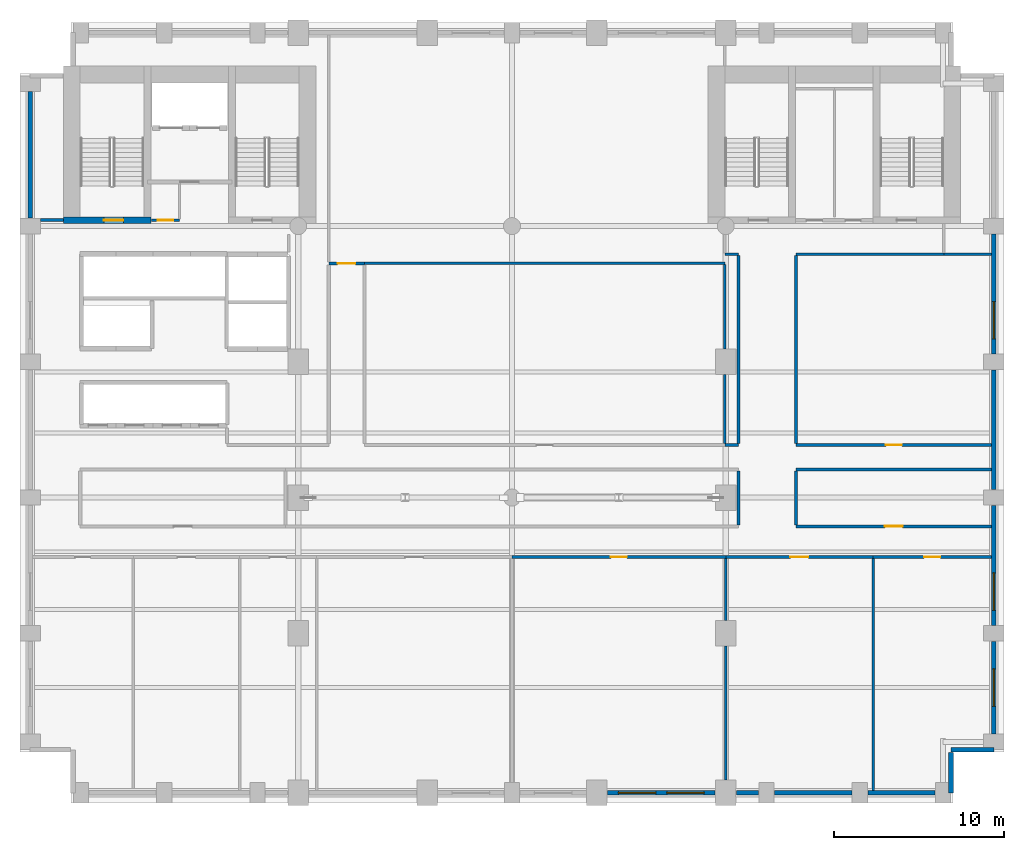
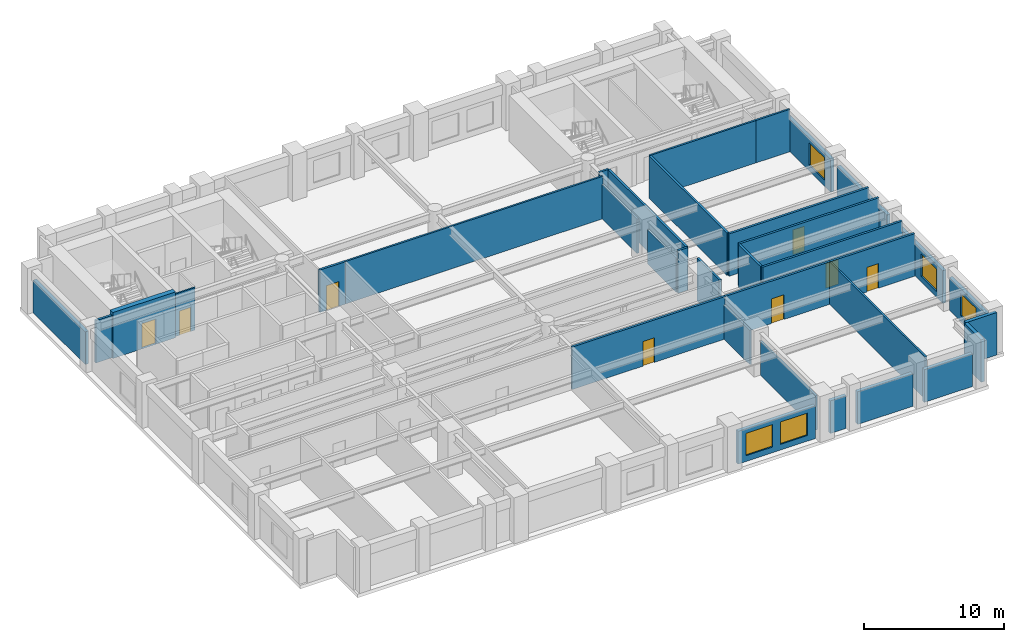
# One storey, part 6 of 10: 35 walls, 8 doors, 5 windows, 13 openings.
"""IFC4 building model written with IfcOpenShell, lengths in metres."""

from ifc_helpers import new_model, si_unit, direction, frame, frame_2d, origin, place, context, subcontext, project, spatial, rectangle, extrude, material, layer, layer_set, type_object, element, fill, save


model = new_model("IFC4")

# Units and contexts
model_context = context("Model", 3, precision=1e-05, world=origin(), true_north=direction((0.0, 1.0)))
body_context = subcontext(model_context, "Body", "Model", "MODEL_VIEW")
ifc_project = project(units=[si_unit("LENGTHUNIT", "METRE"), si_unit("AREAUNIT", "SQUARE_METRE"), si_unit("VOLUMEUNIT", "CUBIC_METRE"), si_unit("PLANEANGLEUNIT", "RADIAN"), si_unit("MASSUNIT", "GRAM", prefix="KILO")], contexts=[model_context])

# Site, building, storey
site_placement = place(None, origin())
site = spatial("IfcSite", under=ifc_project, at=site_placement, CompositionType="ELEMENT")
building_placement = place(site_placement, origin())
building = spatial("IfcBuilding", under=site, at=building_placement, Name="Sulina Concourse Tower", CompositionType="ELEMENT")
storey_placement = place(building_placement, frame((0.0, 0.0, 50.60009765625)))
storey = spatial("IfcBuildingStorey", under=building, at=storey_placement, Name="L12", CompositionType="ELEMENT", Elevation=50.60009765625)

# Walls
ifc_material_1 = material(Name="Gypsum board on steel stud", Category="steel")
ifc_layer_1 = layer(ifc_material_1, 0.14990234375)
ifc_layer_set_1 = layer_set([ifc_layer_1], Name="Gypsum board on steel stud")
wall_type_1 = type_object("IfcWallType", Name="Inter-Tenancy Acoustic Partition 150mm", PredefinedType="PARTITIONING", material=ifc_layer_set_1)
wall_1_placement = place(storey_placement, frame((20.300048828125, 31.800048828125, 0.0), z_axis=(0.0, 0.0, 1.0), x_axis=(1.0, 0.0, 0.0)))
element("IfcWall", 1, at=wall_1_placement, inside=storey, type_object=wall_type_1, Name="L12 interior partition 019", PredefinedType="PARTITIONING", context=body_context, shape_type="SweptSolid", body=[
    extrude(rectangle(XDim=21.25, YDim=0.14990234375, at=frame_2d((10.625, 0.0))), origin(), (0.0, 0.0, 1.0), 3.699951171875),
])
wall_2_placement = place(storey_placement, frame((41.550048828125, 32.35009765625, 0.0), z_axis=(0.0, 0.0, 1.0), x_axis=(1.0, 0.0, 0.0)))
element("IfcWall", 2, at=wall_2_placement, inside=storey, type_object=wall_type_1, Name="L12 interior partition 020", PredefinedType="PARTITIONING", context=body_context, shape_type="SweptSolid", body=[
    extrude(rectangle(XDim=0.800048828125, YDim=0.14990234375, at=frame_2d((0.39990234375, 0.0))), origin(), (0.0, 0.0, 1.0), 3.699951171875),
])
wall_3_placement = place(storey_placement, frame((45.75, 32.35009765625, 0.0), z_axis=(0.0, 0.0, 1.0), x_axis=(1.0, 0.0, 0.0)))
element("IfcWall", 3, at=wall_3_placement, inside=storey, type_object=wall_type_1, Name="L12 interior partition 021", PredefinedType="PARTITIONING", context=body_context, shape_type="SweptSolid", body=[
    extrude(rectangle(XDim=8.699951171875, YDim=0.14990234375, at=frame_2d((4.35009765625, 0.0))), origin(), (0.0, 0.0, 1.0), 3.699951171875),
])
wall_4_placement = place(storey_placement, frame((54.449951171875, 32.35009765625, 0.0), z_axis=(0.0, 0.0, 1.0), x_axis=(1.0, 0.0, 0.0)))
element("IfcWall", 4, at=wall_4_placement, inside=storey, type_object=wall_type_1, Name="L12 interior partition 022", PredefinedType="PARTITIONING", context=body_context, shape_type="SweptSolid", body=[
    extrude(rectangle(XDim=2.81005859375, YDim=0.14990234375, at=frame_2d((1.405029296875, 0.0))), origin(), (0.0, 0.0, 1.0), 3.699951171875),
])
wall_5_placement = place(storey_placement, frame((41.550048828125, 21.18994140625, 0.0), z_axis=(0.0, 0.0, 1.0), x_axis=(0.0, 1.0, 0.0)))
element("IfcWall", 5, at=wall_5_placement, inside=storey, type_object=wall_type_1, Name="L12 interior partition 039", PredefinedType="PARTITIONING", context=body_context, shape_type="SweptSolid", body=[
    extrude(rectangle(XDim=4.06005859375, YDim=0.14990234375, at=frame_2d((2.030029296875, 0.0))), origin(), (0.0, 0.0, 1.0), 2.994873046875),
])
wall_6_placement = place(storey_placement, frame((41.550048828125, 26.75, 0.0), z_axis=(0.0, 0.0, 1.0), x_axis=(0.0, 1.0, 0.0)))
element("IfcWall", 6, at=wall_6_placement, inside=storey, type_object=wall_type_1, Name="L12 interior partition 040", PredefinedType="PARTITIONING", context=body_context, shape_type="SweptSolid", body=[
    extrude(rectangle(XDim=4.97509765625, YDim=0.14990234375, at=frame_2d((2.487548828125, 0.0))), origin(), (0.0, 0.0, 1.0), 2.994873046875),
])
wall_7_placement = place(storey_placement, frame((41.60009765625, 1.35009765625, 0.0), z_axis=(0.0, 0.0, 1.0), x_axis=(0.0, 1.0, 0.0)))
element("IfcWall", 7, at=wall_7_placement, inside=storey, type_object=wall_type_1, Name="L12 interior partition 043", PredefinedType="PARTITIONING", context=body_context, shape_type="SweptSolid", body=[
    extrude(rectangle(XDim=7.89990234375, YDim=0.14990234375, at=frame_2d((3.949951171875, 0.0))), origin(), (0.0, 0.0, 1.0), 2.994873046875),
])
wall_8_placement = place(storey_placement, frame((41.60009765625, 10.75, 0.0), z_axis=(0.0, 0.0, 1.0), x_axis=(0.0, 1.0, 0.0)))
element("IfcWall", 8, at=wall_8_placement, inside=storey, type_object=wall_type_1, Name="L12 interior partition 044", PredefinedType="PARTITIONING", context=body_context, shape_type="SweptSolid", body=[
    extrude(rectangle(XDim=3.659912109375, YDim=0.14990234375, at=frame_2d((1.830078125, 0.0))), origin(), (0.0, 0.0, 1.0), 2.994873046875),
])
wall_9_placement = place(storey_placement, frame((50.280029296875, 0.739990234375, 0.0), z_axis=(0.0, 0.0, 1.0), x_axis=(0.0, 1.0, 0.0)))
element("IfcWall", 9, at=wall_9_placement, inside=storey, type_object=wall_type_1, Name="L12 interior partition 050", PredefinedType="PARTITIONING", context=body_context, shape_type="SweptSolid", body=[
    extrude(rectangle(XDim=13.669921875, YDim=0.14990234375, at=frame_2d((6.8349609375, 0.0))), origin(), (0.0, 0.0, 1.0), 3.699951171875),
])

# Wall, opening, door
ifc_material_2 = material(Name="Gypsum board on steel stud", Category="steel")
ifc_layer_2 = layer(ifc_material_2, 0.179931640625)
ifc_layer_set_2 = layer_set([ifc_layer_2], Name="Gypsum board on steel stud")
wall_type_2 = type_object("IfcWallType", Name="Protected Corridor & Riser Partition 180mm", PredefinedType="PARTITIONING", material=ifc_layer_set_2)
wall_10_placement = place(storey_placement, frame((29.0, 14.5, 0.0), z_axis=(0.0, 0.0, 1.0), x_axis=(1.0, 0.0, 0.0)))
wall_10 = element("IfcWall", 10, at=wall_10_placement, inside=storey, type_object=wall_type_2, Name="L12 interior partition 005", PredefinedType="PARTITIONING", context=body_context, shape_type="SweptSolid", body=[
    extrude(rectangle(XDim=12.60009765625, YDim=0.179931640625, at=frame_2d((6.300048828125, 0.0))), origin(), (0.0, 0.0, 1.0), 3.699951171875),
])
opening_1_placement = place(wall_10_placement, frame((5.824951171875, 0.0, 0.0)))
opening_1 = element("IfcOpeningElement", 11, at=opening_1_placement, cuts=wall_10, Name="Opening DR-19", PredefinedType="OPENING", context=body_context, shape_type="SweptSolid", body=[
    extrude(rectangle(XDim=0.949951171875, YDim=2.14990234375, at=frame_2d((0.47509765625, 1.074951171875))), frame((0.0, 0.099853515625, 0.0), z_axis=(0.0, -1.0, 0.0), x_axis=(1.0, 0.0, 0.0)), (0.0, 0.0, 1.0), 0.199951171875),
])
ifc_material_3 = material(Name="Oak-veneered acoustic timber leaf", Category="wood")
ifc_layer_3 = layer(ifc_material_3, 0.050048828125)
ifc_layer_set_3 = layer_set([ifc_layer_3], Name="Oak-veneered acoustic timber leaf")
door_type_1 = type_object("IfcDoorType", Name="Cellular Office & Meeting Door 950x2150", OperationType="NOTDEFINED", PredefinedType="DOOR", material=ifc_layer_set_3)
door_1_placement = place(opening_1_placement, origin())
door_1 = element("IfcDoor", 12, at=door_1_placement, inside=storey, type_object=door_type_1, Name="L12 interior door L12-S04", OperationType="SINGLE_SWING_RIGHT", OverallHeight=2.14990234375, OverallWidth=0.949951171875, PredefinedType="DOOR", context=body_context, shape_type="SweptSolid", body=[
    extrude(rectangle(XDim=0.949951171875, YDim=2.14990234375, at=frame_2d((0.47509765625, 1.074951171875))), frame((0.0, 0.02490234375, 0.0), z_axis=(0.0, -1.0, 0.0), x_axis=(1.0, 0.0, 0.0)), (0.0, 0.0, 1.0), 0.050048828125),
])
fill(opening_1, door_1)

wall_11_placement = place(storey_placement, frame((41.60009765625, 14.5, 0.0), z_axis=(0.0, 0.0, 1.0), x_axis=(1.0, 0.0, 0.0)))
wall_11 = element("IfcWall", 13, at=wall_11_placement, inside=storey, type_object=wall_type_2, Name="L12 interior partition 006", PredefinedType="PARTITIONING", context=body_context, shape_type="SweptSolid", body=[
    extrude(rectangle(XDim=8.679931640625, YDim=0.179931640625, at=frame_2d((4.33984375, 0.0))), origin(), (0.0, 0.0, 1.0), 3.699951171875),
])
opening_2_placement = place(wall_11_placement, frame((3.81494140625, 0.0, 0.0)))
opening_2 = element("IfcOpeningElement", 14, at=opening_2_placement, cuts=wall_11, Name="Opening DR-37", PredefinedType="OPENING", context=body_context, shape_type="SweptSolid", body=[
    extrude(rectangle(XDim=1.050048828125, YDim=2.14990234375, at=frame_2d((0.52490234375, 1.074951171875))), frame((0.0, 0.099853515625, 0.0), z_axis=(0.0, -1.0, 0.0), x_axis=(1.0, 0.0, 0.0)), (0.0, 0.0, 1.0), 0.199951171875),
])
ifc_material_4 = material(Name="Oak-veneered fire door leaf")
ifc_layer_4 = layer(ifc_material_4, 0.050048828125)
ifc_layer_set_4 = layer_set([ifc_layer_4], Name="Oak-veneered fire door leaf")
door_type_2 = type_object("IfcDoorType", Name="Tenant Suite Entrance Fire Door 1050x2150", OperationType="NOTDEFINED", PredefinedType="DOOR", material=ifc_layer_set_4)
door_2_placement = place(opening_2_placement, origin())
door_2 = element("IfcDoor", 15, at=door_2_placement, inside=storey, type_object=door_type_2, Name="L12 interior door L12-S05", OperationType="SINGLE_SWING_LEFT", OverallHeight=2.14990234375, OverallWidth=1.050048828125, PredefinedType="DOOR", context=body_context, shape_type="SweptSolid", body=[
    extrude(rectangle(XDim=1.050048828125, YDim=2.14990234375, at=frame_2d((0.52490234375, 1.074951171875))), frame((0.0, 0.02490234375, 0.0), z_axis=(0.0, -1.0, 0.0), x_axis=(1.0, 0.0, 0.0)), (0.0, 0.0, 1.0), 0.050048828125),
])
fill(opening_2, door_2)

wall_12_placement = place(storey_placement, frame((50.280029296875, 14.5, 0.0), z_axis=(0.0, 0.0, 1.0), x_axis=(1.0, 0.0, 0.0)))
wall_12 = element("IfcWall", 16, at=wall_12_placement, inside=storey, type_object=wall_type_2, Name="L12 interior partition 007", PredefinedType="PARTITIONING", context=body_context, shape_type="SweptSolid", body=[
    extrude(rectangle(XDim=6.97998046875, YDim=0.179931640625, at=frame_2d((3.489990234375, 0.0))), origin(), (0.0, 0.0, 1.0), 3.699951171875),
])
opening_3_placement = place(wall_12_placement, frame((3.014892578125, 0.0, 0.0)))
opening_3 = element("IfcOpeningElement", 17, at=opening_3_placement, cuts=wall_12, Name="Opening DR-19", PredefinedType="OPENING", context=body_context, shape_type="SweptSolid", body=[
    extrude(rectangle(XDim=0.949951171875, YDim=2.14990234375, at=frame_2d((0.47509765625, 1.074951171875))), frame((0.0, 0.099853515625, 0.0), z_axis=(0.0, -1.0, 0.0), x_axis=(1.0, 0.0, 0.0)), (0.0, 0.0, 1.0), 0.199951171875),
])
door_3_placement = place(opening_3_placement, origin())
door_3 = element("IfcDoor", 18, at=door_3_placement, inside=storey, type_object=door_type_1, Name="L12 interior door L12-S06", OperationType="SINGLE_SWING_RIGHT", OverallHeight=2.14990234375, OverallWidth=0.949951171875, PredefinedType="DOOR", context=body_context, shape_type="SweptSolid", body=[
    extrude(rectangle(XDim=0.949951171875, YDim=2.14990234375, at=frame_2d((0.47509765625, 1.074951171875))), frame((0.0, 0.02490234375, 0.0), z_axis=(0.0, -1.0, 0.0), x_axis=(1.0, 0.0, 0.0)), (0.0, 0.0, 1.0), 0.050048828125),
])
fill(opening_3, door_3)

wall_13_placement = place(storey_placement, frame((45.75, 16.300048828125, 0.0), z_axis=(0.0, 0.0, 1.0), x_axis=(1.0, 0.0, 0.0)))
wall_13 = element("IfcWall", 19, at=wall_13_placement, inside=storey, type_object=wall_type_2, Name="L12 interior partition 010", PredefinedType="PARTITIONING", context=body_context, shape_type="SweptSolid", body=[
    extrude(rectangle(XDim=11.510009765625, YDim=0.179931640625, at=frame_2d((5.7548828125, 0.0))), origin(), (0.0, 0.0, 1.0), 3.699951171875),
])
opening_4_placement = place(wall_13_placement, frame((5.22998046875, 0.0, 0.0)))
opening_4 = element("IfcOpeningElement", 20, at=opening_4_placement, cuts=wall_13, Name="Opening DR-37", PredefinedType="OPENING", context=body_context, shape_type="SweptSolid", body=[
    extrude(rectangle(XDim=1.050048828125, YDim=2.14990234375, at=frame_2d((0.52490234375, 1.074951171875))), frame((0.0, 0.099853515625, 0.0), z_axis=(0.0, -1.0, 0.0), x_axis=(1.0, 0.0, 0.0)), (0.0, 0.0, 1.0), 0.199951171875),
])
door_4_placement = place(opening_4_placement, origin())
door_4 = element("IfcDoor", 21, at=door_4_placement, inside=storey, type_object=door_type_2, Name="L12 interior door L12-OFF-LBTE", OperationType="SINGLE_SWING_RIGHT", OverallHeight=2.14990234375, OverallWidth=1.050048828125, PredefinedType="DOOR", context=body_context, shape_type="SweptSolid", body=[
    extrude(rectangle(XDim=1.050048828125, YDim=2.14990234375, at=frame_2d((0.52490234375, 1.074951171875))), frame((0.0, 0.02490234375, 0.0), z_axis=(0.0, -1.0, 0.0), x_axis=(1.0, 0.0, 0.0)), (0.0, 0.0, 1.0), 0.050048828125),
])
fill(opening_4, door_4)

# Walls
wall_14_placement = place(storey_placement, frame((45.75, 19.64990234375, 0.0), z_axis=(0.0, 0.0, 1.0), x_axis=(1.0, 0.0, 0.0)))
element("IfcWall", 22, at=wall_14_placement, inside=storey, type_object=wall_type_2, Name="L12 interior partition 013", PredefinedType="PARTITIONING", context=body_context, shape_type="SweptSolid", body=[
    extrude(rectangle(XDim=11.510009765625, YDim=0.179931640625, at=frame_2d((5.7548828125, 0.0))), origin(), (0.0, 0.0, 1.0), 3.699951171875),
])
wall_15_placement = place(storey_placement, frame((41.550048828125, 21.10009765625, 0.0), z_axis=(0.0, 0.0, 1.0), x_axis=(1.0, 0.0, 0.0)))
element("IfcWall", 23, at=wall_15_placement, inside=storey, type_object=wall_type_2, Name="L12 interior partition 016", PredefinedType="PARTITIONING", context=body_context, shape_type="SweptSolid", body=[
    extrude(rectangle(XDim=0.800048828125, YDim=0.179931640625, at=frame_2d((0.39990234375, 0.0))), origin(), (0.0, 0.0, 1.0), 3.699951171875),
])

# Wall, opening, door
wall_16_placement = place(storey_placement, frame((45.75, 21.10009765625, 0.0), z_axis=(0.0, 0.0, 1.0), x_axis=(1.0, 0.0, 0.0)))
wall_16 = element("IfcWall", 24, at=wall_16_placement, inside=storey, type_object=wall_type_2, Name="L12 interior partition 017", PredefinedType="PARTITIONING", context=body_context, shape_type="SweptSolid", body=[
    extrude(rectangle(XDim=11.510009765625, YDim=0.179931640625, at=frame_2d((5.7548828125, 0.0))), origin(), (0.0, 0.0, 1.0), 3.699951171875),
])
opening_5_placement = place(wall_16_placement, frame((5.280029296875, 0.0, 0.0)))
opening_5 = element("IfcOpeningElement", 25, at=opening_5_placement, cuts=wall_16, Name="Opening DR-19", PredefinedType="OPENING", context=body_context, shape_type="SweptSolid", body=[
    extrude(rectangle(XDim=0.949951171875, YDim=2.14990234375, at=frame_2d((0.47509765625, 1.074951171875))), frame((0.0, 0.099853515625, 0.0), z_axis=(0.0, -1.0, 0.0), x_axis=(1.0, 0.0, 0.0)), (0.0, 0.0, 1.0), 0.199951171875),
])
door_5_placement = place(opening_5_placement, origin())
door_5 = element("IfcDoor", 26, at=door_5_placement, inside=storey, type_object=door_type_1, Name="L12 interior door L12-NE1", OperationType="SINGLE_SWING_RIGHT", OverallHeight=2.14990234375, OverallWidth=0.949951171875, PredefinedType="DOOR", context=body_context, shape_type="SweptSolid", body=[
    extrude(rectangle(XDim=0.949951171875, YDim=2.14990234375, at=frame_2d((0.47509765625, 1.074951171875))), frame((0.0, 0.02490234375, 0.0), z_axis=(0.0, -1.0, 0.0), x_axis=(1.0, 0.0, 0.0)), (0.0, 0.0, 1.0), 0.050048828125),
])
fill(opening_5, door_5)

wall_17_placement = place(storey_placement, frame((18.199951171875, 31.800048828125, 0.0), z_axis=(0.0, 0.0, 1.0), x_axis=(1.0, 0.0, 0.0)))
wall_17 = element("IfcWall", 27, at=wall_17_placement, inside=storey, type_object=wall_type_2, Name="L12 interior partition 018", PredefinedType="PARTITIONING", context=body_context, shape_type="SweptSolid", body=[
    extrude(rectangle(XDim=2.10009765625, YDim=0.179931640625, at=frame_2d((1.050048828125, 0.0))), origin(), (0.0, 0.0, 1.0), 3.699951171875),
])
opening_6_placement = place(wall_17_placement, frame((0.52490234375, 0.0, 0.0)))
opening_6 = element("IfcOpeningElement", 28, at=opening_6_placement, cuts=wall_17, Name="Opening DR-37", PredefinedType="OPENING", context=body_context, shape_type="SweptSolid", body=[
    extrude(rectangle(XDim=1.050048828125, YDim=2.14990234375, at=frame_2d((0.52490234375, 1.074951171875))), frame((0.0, 0.099853515625, 0.0), z_axis=(0.0, -1.0, 0.0), x_axis=(1.0, 0.0, 0.0)), (0.0, 0.0, 1.0), 0.199951171875),
])
door_6_placement = place(opening_6_placement, origin())
door_6 = element("IfcDoor", 29, at=door_6_placement, inside=storey, type_object=door_type_2, Name="L12 interior door L12-NC4", OperationType="SINGLE_SWING_LEFT", OverallHeight=2.14990234375, OverallWidth=1.050048828125, PredefinedType="DOOR", context=body_context, shape_type="SweptSolid", body=[
    extrude(rectangle(XDim=1.050048828125, YDim=2.14990234375, at=frame_2d((0.52490234375, 1.074951171875))), frame((0.0, 0.02490234375, 0.0), z_axis=(0.0, -1.0, 0.0), x_axis=(1.0, 0.0, 0.0)), (0.0, 0.0, 1.0), 0.050048828125),
])
fill(opening_6, door_6)

# Walls
wall_18_placement = place(storey_placement, frame((1.199951171875, 34.35009765625, 0.0), z_axis=(0.0, 0.0, 1.0), x_axis=(1.0, 0.0, 0.0)))
element("IfcWall", 30, at=wall_18_placement, inside=storey, type_object=wall_type_2, Name="L12 interior partition 023", PredefinedType="PARTITIONING", context=body_context, shape_type="SweptSolid", body=[
    extrude(rectangle(XDim=1.35009765625, YDim=0.179931640625, at=frame_2d((0.675048828125, 0.0))), origin(), (0.0, 0.0, 1.0), 3.699951171875),
])
wall_19_placement = place(storey_placement, frame((42.35009765625, 16.389892578125, 0.0), z_axis=(0.0, 0.0, 1.0), x_axis=(0.0, 1.0, 0.0)))
element("IfcWall", 31, at=wall_19_placement, inside=storey, type_object=wall_type_2, Name="L12 interior partition 045", PredefinedType="PARTITIONING", context=body_context, shape_type="SweptSolid", body=[
    extrude(rectangle(XDim=3.170166015625, YDim=0.179931640625, at=frame_2d((1.5849609375, 0.0))), origin(), (0.0, 0.0, 1.0), 3.699951171875),
])
wall_20_placement = place(storey_placement, frame((42.35009765625, 21.18994140625, 0.0), z_axis=(0.0, 0.0, 1.0), x_axis=(0.0, 1.0, 0.0)))
element("IfcWall", 32, at=wall_20_placement, inside=storey, type_object=wall_type_2, Name="L12 interior partition 046", PredefinedType="PARTITIONING", context=body_context, shape_type="SweptSolid", body=[
    extrude(rectangle(XDim=11.0849609375, YDim=0.179931640625, at=frame_2d((5.54248046875, 0.0))), origin(), (0.0, 0.0, 1.0), 3.699951171875),
])
wall_21_placement = place(storey_placement, frame((45.75, 16.389892578125, 0.0), z_axis=(0.0, 0.0, 1.0), x_axis=(0.0, 1.0, 0.0)))
element("IfcWall", 33, at=wall_21_placement, inside=storey, type_object=wall_type_2, Name="L12 interior partition 047", PredefinedType="PARTITIONING", context=body_context, shape_type="SweptSolid", body=[
    extrude(rectangle(XDim=3.170166015625, YDim=0.179931640625, at=frame_2d((1.5849609375, 0.0))), origin(), (0.0, 0.0, 1.0), 3.699951171875),
])
wall_22_placement = place(storey_placement, frame((45.75, 21.18994140625, 0.0), z_axis=(0.0, 0.0, 1.0), x_axis=(0.0, 1.0, 0.0)))
element("IfcWall", 34, at=wall_22_placement, inside=storey, type_object=wall_type_2, Name="L12 interior partition 048", PredefinedType="PARTITIONING", context=body_context, shape_type="SweptSolid", body=[
    extrude(rectangle(XDim=11.0849609375, YDim=0.179931640625, at=frame_2d((5.54248046875, 0.0))), origin(), (0.0, 0.0, 1.0), 3.699951171875),
])

# Wall, opening, door
ifc_material_5 = material(Name="Concrete C60/75", Category="concrete")
ifc_layer_5 = layer(ifc_material_5, 0.39990234375)
ifc_layer_set_5 = layer_set([ifc_layer_5], Name="Concrete C60/75")
wall_type_3 = type_object("IfcWallType", Name="Protected Stair Core Shear Wall 400mm", PredefinedType="SHEAR", material=ifc_layer_set_5)
wall_23_placement = place(storey_placement, frame((2.550048828125, 34.35009765625, 0.0), z_axis=(0.0, 0.0, 1.0), x_axis=(1.0, 0.0, 0.0)))
wall_23 = element("IfcWall", 35, at=wall_23_placement, inside=storey, type_object=wall_type_3, Name="L12 west core shear wall CW-WS1", PredefinedType="SHEAR", context=body_context, shape_type="SweptSolid", body=[
    extrude(rectangle(XDim=5.159912109375, YDim=0.39990234375, at=frame_2d((2.580078125, 0.0))), origin(), (0.0, 0.0, 1.0), 4.0),
])
opening_7_placement = place(wall_23_placement, frame((2.39990234375, 0.0, 0.0)))
opening_7 = element("IfcOpeningElement", 36, at=opening_7_placement, cuts=wall_23, Name="Opening DR-60", PredefinedType="OPENING", context=body_context, shape_type="SweptSolid", body=[
    extrude(rectangle(XDim=1.14990234375, YDim=2.199951171875, at=frame_2d((0.574951171875, 1.10009765625))), frame((0.0, 0.2099609375, 0.0), z_axis=(0.0, -1.0, 0.0), x_axis=(1.0, 0.0, 0.0)), (0.0, 0.0, 1.0), 0.419921875),
])
ifc_material_6 = material(Name="Galvanised steel acoustic fire leaf", Category="steel")
ifc_layer_6 = layer(ifc_material_6, 0.054931640625)
ifc_layer_set_6 = layer_set([ifc_layer_6], Name="Galvanised steel acoustic fire leaf")
door_type_3 = type_object("IfcDoorType", Name="Protected Exit Stair Fire Door 1150x2200", OperationType="NOTDEFINED", PredefinedType="DOOR", material=ifc_layer_set_6)
door_7_placement = place(opening_7_placement, origin())
door_7 = element("IfcDoor", 37, at=door_7_placement, inside=storey, type_object=door_type_3, Name="L12 stair ST-1 lobby fire door", OperationType="SINGLE_SWING_LEFT", OverallHeight=2.199951171875, OverallWidth=1.14990234375, PredefinedType="DOOR", context=body_context, shape_type="SweptSolid", body=[
    extrude(rectangle(XDim=1.14990234375, YDim=2.199951171875, at=frame_2d((0.574951171875, 1.10009765625))), frame((0.0, 0.02490234375, 0.0), z_axis=(0.0, -1.0, 0.0), x_axis=(1.0, 0.0, 0.0)), (0.0, 0.0, 1.0), 0.050048828125),
])
fill(opening_7, door_7)

# Wall, openings, windows
ifc_material_7 = material(Name="Precast concrete C50/60", Category="concrete")
ifc_layer_7 = layer(ifc_material_7, 0.280029296875)
ifc_layer_set_7 = layer_set([ifc_layer_7], Name="Precast concrete C50/60")
wall_type_4 = type_object("IfcWallType", Name="Typical Precast Masonry-Frame Facade Wall 280mm", PredefinedType="SOLIDWALL", material=ifc_layer_set_7)
wall_24_placement = place(storey_placement, frame((40.97998046875, 0.60009765625, 0.0), z_axis=(0.0, 0.0, 1.0), x_axis=(-1.0, 0.0, 0.0)))
wall_24 = element("IfcWall", 38, at=wall_24_placement, inside=storey, type_object=wall_type_4, Name="L12 exterior precast wall S7", PredefinedType="SOLIDWALL", context=body_context, shape_type="SweptSolid", body=[
    extrude(rectangle(XDim=6.35986328125, YDim=0.280029296875, at=frame_2d((3.179931640625, 0.0))), origin(), (0.0, 0.0, 1.0), 2.849853515625),
])
opening_8_placement = place(wall_24_placement, frame((0.6533203125, 0.0, 0.5)))
opening_8 = element("IfcOpeningElement", 39, at=opening_8_placement, cuts=wall_24, Name="Opening WN-76", PredefinedType="OPENING", context=body_context, shape_type="SweptSolid", body=[
    extrude(rectangle(XDim=2.199951171875, YDim=1.949951171875, at=frame_2d((1.10009765625, 0.97509765625))), frame((0.0, 0.14990234375, 0.0), z_axis=(0.0, -1.0, 0.0), x_axis=(1.0, 0.0, 0.0)), (0.0, 0.0, 1.0), 0.300048828125),
])
opening_9_placement = place(wall_24_placement, frame((3.506591796875, 0.0, 0.5)))
opening_9 = element("IfcOpeningElement", 40, at=opening_9_placement, cuts=wall_24, Name="Opening WN-76", PredefinedType="OPENING", context=body_context, shape_type="SweptSolid", body=[
    extrude(rectangle(XDim=2.199951171875, YDim=1.949951171875, at=frame_2d((1.10009765625, 0.97509765625))), frame((0.0, 0.14990234375, 0.0), z_axis=(0.0, -1.0, 0.0), x_axis=(1.0, 0.0, 0.0)), (0.0, 0.0, 1.0), 0.300048828125),
])
ifc_material_8 = material(Name="Low-E solar double glazing in bronze aluminium", Category="aluminium")
window_type = type_object("IfcWindowType", Name="Recessed Spandrel Window 2200x1950", PartitioningType="DOUBLE_PANEL_VERTICAL", PredefinedType="WINDOW", material=ifc_material_8)
window_1_placement = place(opening_8_placement, origin())
window_1 = element("IfcWindow", 41, at=window_1_placement, inside=storey, type_object=window_type, Name="L12 punched window S7-1", OverallHeight=1.949951171875, OverallWidth=2.199951171875, PartitioningType="SINGLE_PANEL", PredefinedType="WINDOW", context=body_context, shape_type="SweptSolid", body=[
    extrude(rectangle(XDim=2.199951171875, YDim=1.949951171875, at=frame_2d((1.10009765625, 0.97509765625))), frame((0.0, 0.030029296875, 0.0), z_axis=(0.0, -1.0, 0.0), x_axis=(1.0, 0.0, 0.0)), (0.0, 0.0, 1.0), 0.06005859375),
])
fill(opening_8, window_1)
window_2_placement = place(opening_9_placement, origin())
window_2 = element("IfcWindow", 42, at=window_2_placement, inside=storey, type_object=window_type, Name="L12 punched window S7-2", OverallHeight=1.949951171875, OverallWidth=2.199951171875, PartitioningType="SINGLE_PANEL", PredefinedType="WINDOW", context=body_context, shape_type="SweptSolid", body=[
    extrude(rectangle(XDim=2.199951171875, YDim=1.949951171875, at=frame_2d((1.10009765625, 0.97509765625))), frame((0.0, 0.030029296875, 0.0), z_axis=(0.0, -1.0, 0.0), x_axis=(1.0, 0.0, 0.0)), (0.0, 0.0, 1.0), 0.06005859375),
])
fill(opening_9, window_2)

# Walls
wall_25_placement = place(storey_placement, frame((43.530029296875, 0.60009765625, 0.0), z_axis=(0.0, 0.0, 1.0), x_axis=(-1.0, 0.0, 0.0)))
element("IfcWall", 43, at=wall_25_placement, inside=storey, type_object=wall_type_4, Name="L12 exterior precast wall S8", PredefinedType="SOLIDWALL", context=body_context, shape_type="SweptSolid", body=[
    extrude(rectangle(XDim=1.31005859375, YDim=0.280029296875, at=frame_2d((0.655029296875, 0.0))), origin(), (0.0, 0.0, 1.0), 2.849853515625),
])
wall_26_placement = place(storey_placement, frame((49.030029296875, 0.60009765625, 0.0), z_axis=(0.0, 0.0, 1.0), x_axis=(-1.0, 0.0, 0.0)))
element("IfcWall", 44, at=wall_26_placement, inside=storey, type_object=wall_type_4, Name="L12 exterior precast wall S9", PredefinedType="SOLIDWALL", context=body_context, shape_type="SweptSolid", body=[
    extrude(rectangle(XDim=4.56005859375, YDim=0.280029296875, at=frame_2d((2.280029296875, 0.0))), origin(), (0.0, 0.0, 1.0), 2.849853515625),
])
wall_27_placement = place(storey_placement, frame((53.929931640625, 0.60009765625, 0.0), z_axis=(0.0, 0.0, 1.0), x_axis=(-1.0, 0.0, 0.0)))
element("IfcWall", 45, at=wall_27_placement, inside=storey, type_object=wall_type_4, Name="L12 exterior precast wall S10", PredefinedType="SOLIDWALL", context=body_context, shape_type="SweptSolid", body=[
    extrude(rectangle(XDim=3.9599609375, YDim=0.280029296875, at=frame_2d((1.97998046875, 0.0))), origin(), (0.0, 0.0, 1.0), 2.849853515625),
])
wall_28_placement = place(storey_placement, frame((0.60009765625, 34.469970703125, 0.0), z_axis=(0.0, 0.0, 1.0), x_axis=(0.0, 1.0, 0.0)))
element("IfcWall", 46, at=wall_28_placement, inside=storey, type_object=wall_type_4, Name="L12 exterior precast wall W5", PredefinedType="SOLIDWALL", context=body_context, shape_type="SweptSolid", body=[
    extrude(rectangle(XDim=7.4599609375, YDim=0.280029296875, at=frame_2d((3.72998046875, 0.0))), origin(), (0.0, 0.0, 1.0), 2.849853515625),
])

# Wall, opening, window
wall_29_placement = place(storey_placement, frame((57.39990234375, 9.530029296875, 0.0), z_axis=(0.0, 0.0, 1.0), x_axis=(0.0, -1.0, 0.0)))
wall_29 = element("IfcWall", 47, at=wall_29_placement, inside=storey, type_object=wall_type_4, Name="L12 exterior precast wall E1", PredefinedType="SOLIDWALL", context=body_context, shape_type="SweptSolid", body=[
    extrude(rectangle(XDim=5.4599609375, YDim=0.280029296875, at=frame_2d((2.72998046875, 0.0))), origin(), (0.0, 0.0, 1.0), 2.849853515625),
])
opening_10_placement = place(wall_29_placement, frame((1.6298828125, 0.0, 0.5)))
opening_10 = element("IfcOpeningElement", 48, at=opening_10_placement, cuts=wall_29, Name="Opening WN-76", PredefinedType="OPENING", context=body_context, shape_type="SweptSolid", body=[
    extrude(rectangle(XDim=2.199951171875, YDim=1.949951171875, at=frame_2d((1.10009765625, 0.97509765625))), frame((0.0, 0.14990234375, 0.0), z_axis=(0.0, -1.0, 0.0), x_axis=(1.0, 0.0, 0.0)), (0.0, 0.0, 1.0), 0.300048828125),
])
window_3_placement = place(opening_10_placement, origin())
window_3 = element("IfcWindow", 49, at=window_3_placement, inside=storey, type_object=window_type, Name="L12 punched window E1-1", OverallHeight=1.949951171875, OverallWidth=2.199951171875, PartitioningType="SINGLE_PANEL", PredefinedType="WINDOW", context=body_context, shape_type="SweptSolid", body=[
    extrude(rectangle(XDim=2.199951171875, YDim=1.949951171875, at=frame_2d((1.10009765625, 0.97509765625))), frame((0.0, 0.030029296875, 0.0), z_axis=(0.0, -1.0, 0.0), x_axis=(1.0, 0.0, 0.0)), (0.0, 0.0, 1.0), 0.06005859375),
])
fill(opening_10, window_3)

wall_30_placement = place(storey_placement, frame((57.39990234375, 17.530029296875, 0.0), z_axis=(0.0, 0.0, 1.0), x_axis=(0.0, -1.0, 0.0)))
wall_30 = element("IfcWall", 50, at=wall_30_placement, inside=storey, type_object=wall_type_4, Name="L12 exterior precast wall E2", PredefinedType="SOLIDWALL", context=body_context, shape_type="SweptSolid", body=[
    extrude(rectangle(XDim=7.06005859375, YDim=0.280029296875, at=frame_2d((3.530029296875, 0.0))), origin(), (0.0, 0.0, 1.0), 2.849853515625),
])
opening_11_placement = place(wall_30_placement, frame((3.973388671875, 0.0, 0.5)))
opening_11 = element("IfcOpeningElement", 51, at=opening_11_placement, cuts=wall_30, Name="Opening WN-76", PredefinedType="OPENING", context=body_context, shape_type="SweptSolid", body=[
    extrude(rectangle(XDim=2.199951171875, YDim=1.949951171875, at=frame_2d((1.10009765625, 0.97509765625))), frame((0.0, 0.14990234375, 0.0), z_axis=(0.0, -1.0, 0.0), x_axis=(1.0, 0.0, 0.0)), (0.0, 0.0, 1.0), 0.300048828125),
])
window_4_placement = place(opening_11_placement, origin())
window_4 = element("IfcWindow", 52, at=window_4_placement, inside=storey, type_object=window_type, Name="L12 punched window E2-1", OverallHeight=1.949951171875, OverallWidth=2.199951171875, PartitioningType="SINGLE_PANEL", PredefinedType="WINDOW", context=body_context, shape_type="SweptSolid", body=[
    extrude(rectangle(XDim=2.199951171875, YDim=1.949951171875, at=frame_2d((1.10009765625, 0.97509765625))), frame((0.0, 0.030029296875, 0.0), z_axis=(0.0, -1.0, 0.0), x_axis=(1.0, 0.0, 0.0)), (0.0, 0.0, 1.0), 0.06005859375),
])
fill(opening_11, window_4)

# Wall
wall_31_placement = place(storey_placement, frame((57.39990234375, 25.530029296875, 0.0), z_axis=(0.0, 0.0, 1.0), x_axis=(0.0, -1.0, 0.0)))
element("IfcWall", 53, at=wall_31_placement, inside=storey, type_object=wall_type_4, Name="L12 exterior precast wall E3", PredefinedType="SOLIDWALL", context=body_context, shape_type="SweptSolid", body=[
    extrude(rectangle(XDim=7.06005859375, YDim=0.280029296875, at=frame_2d((3.530029296875, 0.0))), origin(), (0.0, 0.0, 1.0), 2.849853515625),
])

# Wall, opening, window
wall_32_placement = place(storey_placement, frame((57.39990234375, 33.530029296875, 0.0), z_axis=(0.0, 0.0, 1.0), x_axis=(0.0, -1.0, 0.0)))
wall_32 = element("IfcWall", 54, at=wall_32_placement, inside=storey, type_object=wall_type_4, Name="L12 exterior precast wall E4", PredefinedType="SOLIDWALL", context=body_context, shape_type="SweptSolid", body=[
    extrude(rectangle(XDim=7.06005859375, YDim=0.280029296875, at=frame_2d((3.530029296875, 0.0))), origin(), (0.0, 0.0, 1.0), 2.849853515625),
])
opening_12_placement = place(wall_32_placement, frame((3.973388671875, 0.0, 0.5)))
opening_12 = element("IfcOpeningElement", 55, at=opening_12_placement, cuts=wall_32, Name="Opening WN-76", PredefinedType="OPENING", context=body_context, shape_type="SweptSolid", body=[
    extrude(rectangle(XDim=2.199951171875, YDim=1.949951171875, at=frame_2d((1.10009765625, 0.97509765625))), frame((0.0, 0.14990234375, 0.0), z_axis=(0.0, -1.0, 0.0), x_axis=(1.0, 0.0, 0.0)), (0.0, 0.0, 1.0), 0.300048828125),
])
window_5_placement = place(opening_12_placement, origin())
window_5 = element("IfcWindow", 56, at=window_5_placement, inside=storey, type_object=window_type, Name="L12 punched window E4-1", OverallHeight=1.949951171875, OverallWidth=2.199951171875, PartitioningType="SINGLE_PANEL", PredefinedType="WINDOW", context=body_context, shape_type="SweptSolid", body=[
    extrude(rectangle(XDim=2.199951171875, YDim=1.949951171875, at=frame_2d((1.10009765625, 0.97509765625))), frame((0.0, 0.030029296875, 0.0), z_axis=(0.0, -1.0, 0.0), x_axis=(1.0, 0.0, 0.0)), (0.0, 0.0, 1.0), 0.06005859375),
])
fill(opening_12, window_5)

# Walls
wall_33_placement = place(storey_placement, frame((57.39990234375, 3.1298828125, 0.0), z_axis=(0.0, 0.0, 1.0), x_axis=(-1.0, 0.0, 0.0)))
element("IfcWall", 57, at=wall_33_placement, inside=storey, type_object=wall_type_4, Name="L12 exterior precast wall CSE1", PredefinedType="SOLIDWALL", context=body_context, shape_type="SweptSolid", body=[
    extrude(rectangle(XDim=2.52978515625, YDim=0.280029296875, at=frame_2d((1.264892578125, 0.0))), origin(), (0.0, 0.0, 1.0), 3.699951171875),
])
wall_34_placement = place(storey_placement, frame((54.8701171875, 2.985107421875, 0.0), z_axis=(0.0, 0.0, 1.0), x_axis=(0.0, -1.0, 0.0)))
element("IfcWall", 58, at=wall_34_placement, inside=storey, type_object=wall_type_4, Name="L12 exterior precast wall CSE2", PredefinedType="SOLIDWALL", context=body_context, shape_type="SweptSolid", body=[
    extrude(rectangle(XDim=2.385009765625, YDim=0.280029296875, at=frame_2d((1.1923828125, 0.0))), origin(), (0.0, 0.0, 1.0), 3.699951171875),
])

# Wall, opening, door
ifc_material_9 = material(Name="Gypsum board on steel stud", Category="steel")
ifc_layer_8 = layer(ifc_material_9, 0.125)
ifc_layer_set_8 = layer_set([ifc_layer_8], Name="Gypsum board on steel stud")
wall_type_5 = type_object("IfcWallType", Name="Wet-Area Moisture-Resistant Partition 125mm", PredefinedType="PARTITIONING", material=ifc_layer_set_8)
wall_35_placement = place(storey_placement, frame((7.75, 34.35009765625, 0.0), z_axis=(0.0, 0.0, 1.0), x_axis=(1.0, 0.0, 0.0)))
wall_35 = element("IfcWall", 59, at=wall_35_placement, inside=storey, type_object=wall_type_5, Name="L12 interior partition 024", PredefinedType="PARTITIONING", context=body_context, shape_type="SweptSolid", body=[
    extrude(rectangle(XDim=1.64990234375, YDim=0.125, at=frame_2d((0.824951171875, 0.0))), origin(), (0.0, 0.0, 1.0), 3.699951171875),
])
opening_13_placement = place(wall_35_placement, frame((0.364990234375, 0.0, 0.0)))
opening_13 = element("IfcOpeningElement", 60, at=opening_13_placement, cuts=wall_35, Name="Opening DR-61", PredefinedType="OPENING", context=body_context, shape_type="SweptSolid", body=[
    extrude(rectangle(XDim=0.919921875, YDim=2.10009765625, at=frame_2d((0.4599609375, 1.050048828125))), frame((0.0, 0.072509765625, 0.0), z_axis=(0.0, -1.0, 0.0), x_axis=(1.0, 0.0, 0.0)), (0.0, 0.0, 1.0), 0.14501953125),
])
ifc_material_10 = material(Name="Oak-veneered fire door leaf")
ifc_layer_9 = layer(ifc_material_10, 0.050048828125)
ifc_layer_set_9 = layer_set([ifc_layer_9], Name="Oak-veneered fire door leaf")
door_type_4 = type_object("IfcDoorType", Name="Accessible WC Door 920x2100", OperationType="NOTDEFINED", PredefinedType="DOOR", material=ifc_layer_set_9)
door_8_placement = place(opening_13_placement, origin())
door_8 = element("IfcDoor", 61, at=door_8_placement, inside=storey, type_object=door_type_4, Name="L12 interior door L12-WC-ACC", OperationType="SINGLE_SWING_RIGHT", OverallHeight=2.10009765625, OverallWidth=0.919921875, PredefinedType="DOOR", context=body_context, shape_type="SweptSolid", body=[
    extrude(rectangle(XDim=0.919921875, YDim=2.10009765625, at=frame_2d((0.4599609375, 1.050048828125))), frame((0.0, 0.02490234375, 0.0), z_axis=(0.0, -1.0, 0.0), x_axis=(1.0, 0.0, 0.0)), (0.0, 0.0, 1.0), 0.050048828125),
])
fill(opening_13, door_8)

save(model, "model.ifc")
